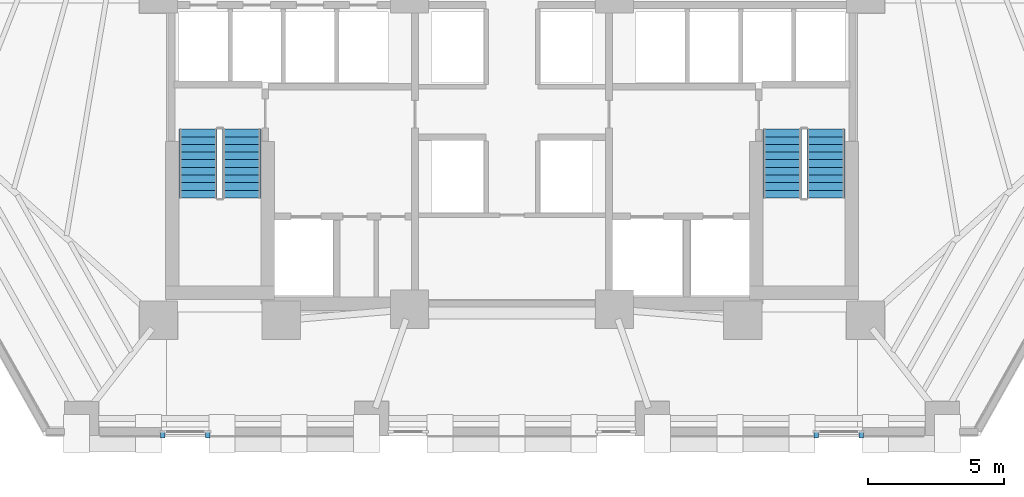
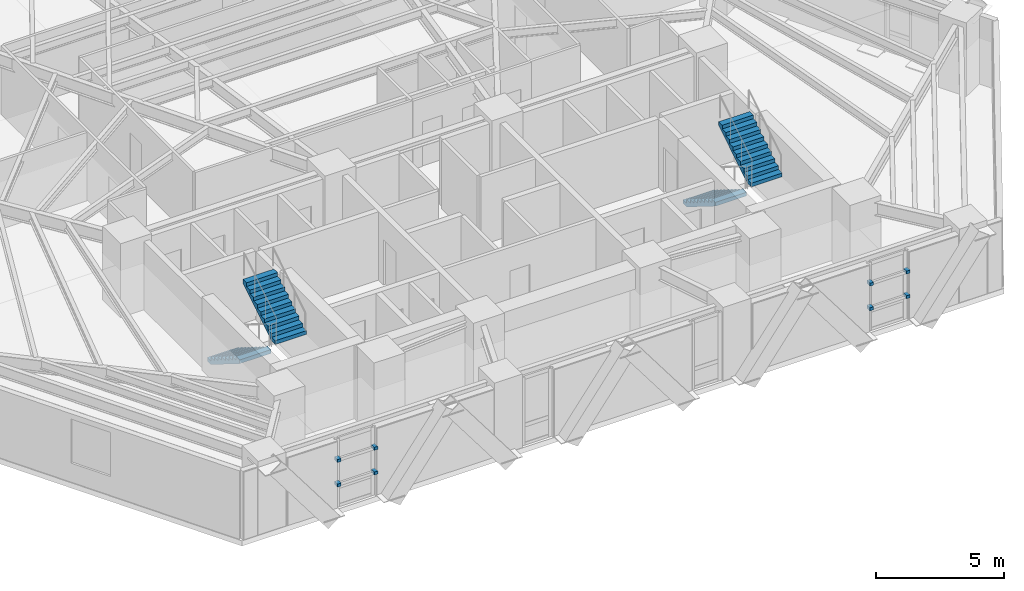
# One storey, part 9 of 13: 8 discrete accessories, 4 stair flights, 2 elements without a shape of their own.
"""IFC4 building model written with IfcOpenShell, lengths in metres."""

from ifc_helpers import new_model, si_unit, direction, frame, origin, origin_2d, place, context, subcontext, project, spatial, polyline, rectangle, outline, extrude, material, layer, layer_set, type_object, element, aggregate, save


model = new_model("IFC4")

# Units and contexts
model_context = context("Model", 3, precision=1e-05, world=origin(), true_north=direction((0.0, 1.0)))
body_context = subcontext(model_context, "Body", "Model", "MODEL_VIEW")
ifc_project = project(units=[si_unit("LENGTHUNIT", "METRE"), si_unit("AREAUNIT", "SQUARE_METRE"), si_unit("VOLUMEUNIT", "CUBIC_METRE"), si_unit("PLANEANGLEUNIT", "RADIAN"), si_unit("MASSUNIT", "GRAM", prefix="KILO")], contexts=[model_context])

# Site, building, storey
site_placement = place(None, origin())
site = spatial("IfcSite", under=ifc_project, at=site_placement, CompositionType="ELEMENT")
building_placement = place(site_placement, origin())
building = spatial("IfcBuilding", under=site, at=building_placement, Name="Quenlor Broadcast Tower", CompositionType="ELEMENT")
storey_placement = place(building_placement, frame((0.0, 0.0, 55.60009765625)))
storey = spatial("IfcBuildingStorey", under=building, at=storey_placement, Name="L14", CompositionType="ELEMENT", Elevation=55.60009765625)

# Stair, stair flights
ifc_material_1 = material(Name="Precast concrete C40/50", Category="concrete")
stair_type = type_object("IfcStairType", Name="Precast Concrete C40/50 Dogleg Stair H350", PredefinedType="HALF_TURN_STAIR", material=ifc_material_1)
stair_1_placement = place(storey_placement, origin())
stair_1 = element("IfcStair", 1, at=stair_1_placement, inside=storey, type_object=stair_type, Name="L14 West Core Fire-Isolated Exit Stair ST-1", PredefinedType="HALF_TURN_STAIR")
ifc_material_2 = material(Name="Precast concrete C40/50", Category="concrete")
ifc_layer = layer(ifc_material_2, 0.159912109375)
ifc_layer_set = layer_set([ifc_layer], Name="Precast Concrete C40/50 Stair Flight H350")
stair_flight_type = type_object("IfcStairFlightType", Name="Precast Concrete C40/50 Stair Flight H350", PredefinedType="STRAIGHT", material=ifc_layer_set)
stair_flight_1_placement = place(storey_placement, frame((-11.5, -9.75, 0.0), z_axis=(0.0, 0.0, 1.0), x_axis=(0.0, -1.0, 0.0)))
stair_flight_1 = element("IfcStairFlight", 2, at=stair_flight_1_placement, type_object=stair_flight_type, Name="ST-1 flight 1", NumberOfRisers=10, NumberOfTreads=9, PredefinedType="STRAIGHT", RiserHeight=0.175, TreadLength=0.28, context=body_context, shape_type="SweptSolid", body=[
    extrude(outline(polyline([(0.0, 0.0), (0.0, 0.175048828125), (0.280029296875, 0.175048828125), (0.280029296875, 0.35009765625), (0.56005859375, 0.35009765625), (0.56005859375, 0.52490234375), (0.840087890625, 0.52490234375), (0.840087890625, 0.699951171875), (1.1201171875, 0.699951171875), (1.1201171875, 0.875), (1.39990234375, 0.875), (1.39990234375, 1.050048828125), (1.679931640625, 1.050048828125), (1.679931640625, 1.22509765625), (1.9599609375, 1.22509765625), (1.9599609375, 1.39990234375), (2.239990234375, 1.39990234375), (2.239990234375, 1.574951171875), (2.52001953125, 1.574951171875), (2.52001953125, 1.75), (2.52001953125, 1.398193359375), (0.28271484375, 0.0), (0.0, 0.0)])), frame((0.0, 0.699951171875, 0.0), z_axis=(0.0, -1.0, 0.0), x_axis=(1.0, 0.0, 0.0)), (0.0, 0.0, 1.0), 1.39990234375),
])
stair_flight_2_placement = place(storey_placement, frame((-9.89990234375, -12.27001953125, 1.75), z_axis=(0.0, 0.0, 1.0), x_axis=(0.0, 1.0, 0.0)))
stair_flight_2 = element("IfcStairFlight", 3, at=stair_flight_2_placement, type_object=stair_flight_type, Name="ST-1 flight 2", NumberOfRisers=10, NumberOfTreads=9, PredefinedType="STRAIGHT", RiserHeight=0.175, TreadLength=0.28, context=body_context, shape_type="SweptSolid", body=[
    extrude(outline(polyline([(0.0, 0.0), (0.0, 0.175048828125), (0.280029296875, 0.175048828125), (0.280029296875, 0.35009765625), (0.56005859375, 0.35009765625), (0.56005859375, 0.52490234375), (0.840087890625, 0.52490234375), (0.840087890625, 0.699951171875), (1.1201171875, 0.699951171875), (1.1201171875, 0.875), (1.39990234375, 0.875), (1.39990234375, 1.050048828125), (1.679931640625, 1.050048828125), (1.679931640625, 1.22509765625), (1.9599609375, 1.22509765625), (1.9599609375, 1.39990234375), (2.239990234375, 1.39990234375), (2.239990234375, 1.574951171875), (2.52001953125, 1.574951171875), (2.52001953125, 1.75), (2.52001953125, 1.398193359375), (0.28271484375, 0.0), (0.0, 0.0)])), frame((0.0, 0.699951171875, 0.0), z_axis=(0.0, -1.0, 0.0), x_axis=(1.0, 0.0, 0.0)), (0.0, 0.0, 1.0), 1.39990234375),
])
aggregate(stair_1, [stair_flight_1, stair_flight_2])

stair_2_placement = place(storey_placement, origin())
stair_2 = element("IfcStair", 4, at=stair_2_placement, inside=storey, type_object=stair_type, Name="L14 East Core Fire-Isolated Exit Stair ST-2", PredefinedType="HALF_TURN_STAIR")
stair_flight_3_placement = place(storey_placement, frame((9.89990234375, -9.75, 0.0), z_axis=(0.0, 0.0, 1.0), x_axis=(0.0, -1.0, 0.0)))
stair_flight_3 = element("IfcStairFlight", 5, at=stair_flight_3_placement, type_object=stair_flight_type, Name="ST-2 flight 1", NumberOfRisers=10, NumberOfTreads=9, PredefinedType="STRAIGHT", RiserHeight=0.175, TreadLength=0.28, context=body_context, shape_type="SweptSolid", body=[
    extrude(outline(polyline([(0.0, 0.0), (0.0, 0.175048828125), (0.280029296875, 0.175048828125), (0.280029296875, 0.35009765625), (0.56005859375, 0.35009765625), (0.56005859375, 0.52490234375), (0.840087890625, 0.52490234375), (0.840087890625, 0.699951171875), (1.1201171875, 0.699951171875), (1.1201171875, 0.875), (1.39990234375, 0.875), (1.39990234375, 1.050048828125), (1.679931640625, 1.050048828125), (1.679931640625, 1.22509765625), (1.9599609375, 1.22509765625), (1.9599609375, 1.39990234375), (2.239990234375, 1.39990234375), (2.239990234375, 1.574951171875), (2.52001953125, 1.574951171875), (2.52001953125, 1.75), (2.52001953125, 1.398193359375), (0.28271484375, 0.0), (0.0, 0.0)])), frame((0.0, 0.699951171875, 0.0), z_axis=(0.0, -1.0, 0.0), x_axis=(1.0, 0.0, 0.0)), (0.0, 0.0, 1.0), 1.39990234375),
])
stair_flight_4_placement = place(storey_placement, frame((11.5, -12.27001953125, 1.75), z_axis=(0.0, 0.0, 1.0), x_axis=(0.0, 1.0, 0.0)))
stair_flight_4 = element("IfcStairFlight", 6, at=stair_flight_4_placement, type_object=stair_flight_type, Name="ST-2 flight 2", NumberOfRisers=10, NumberOfTreads=9, PredefinedType="STRAIGHT", RiserHeight=0.175, TreadLength=0.28, context=body_context, shape_type="SweptSolid", body=[
    extrude(outline(polyline([(0.0, 0.0), (0.0, 0.175048828125), (0.280029296875, 0.175048828125), (0.280029296875, 0.35009765625), (0.56005859375, 0.35009765625), (0.56005859375, 0.52490234375), (0.840087890625, 0.52490234375), (0.840087890625, 0.699951171875), (1.1201171875, 0.699951171875), (1.1201171875, 0.875), (1.39990234375, 0.875), (1.39990234375, 1.050048828125), (1.679931640625, 1.050048828125), (1.679931640625, 1.22509765625), (1.9599609375, 1.22509765625), (1.9599609375, 1.39990234375), (2.239990234375, 1.39990234375), (2.239990234375, 1.574951171875), (2.52001953125, 1.574951171875), (2.52001953125, 1.75), (2.52001953125, 1.398193359375), (0.28271484375, 0.0), (0.0, 0.0)])), frame((0.0, 0.699951171875, 0.0), z_axis=(0.0, -1.0, 0.0), x_axis=(1.0, 0.0, 0.0)), (0.0, 0.0, 1.0), 1.39990234375),
])
aggregate(stair_2, [stair_flight_3, stair_flight_4])

# Discrete accessories
ifc_material_3 = material(Name="Aluminium 6063-T6", Category="aluminium")
discrete_accessory_type = type_object("IfcDiscreteAccessoryType", Name="Stainless Mullion Baguette Support Bracket", PredefinedType="BRACKET", material=ifc_material_3)
for number, where, z_axis, x_axis, name in (
    (7, (12.794921875, -20.949951171875, 1.10009765625), (0.0, 0.0, 1.0), (-1.0, 0.0, 0.0), "L14 Baguette Mullion Bracket 1.1"),
    (8, (11.146484375, -20.949951171875, 1.10009765625), (0.0, 0.0, 1.0), (-1.0, 0.0, 0.0), "L14 Baguette Mullion Bracket 1.2"),
    (9, (12.794921875, -20.949951171875, 2.27001953125), (0.0, 0.0, 1.0), (-1.0, 0.0, 0.0), "L14 Baguette Mullion Bracket 2.1"),
    (10, (11.146484375, -20.949951171875, 2.27001953125), (0.0, 0.0, 1.0), (-1.0, 0.0, 0.0), "L14 Baguette Mullion Bracket 2.2"),
    (11, (-11.146484375, -20.949951171875, 1.10009765625), (0.0, 0.0, 1.0), (-1.0, 0.0, 0.0), "L14 Baguette Mullion Bracket 1.1"),
    (12, (-12.794921875, -20.949951171875, 1.10009765625), (0.0, 0.0, 1.0), (-1.0, 0.0, 0.0), "L14 Baguette Mullion Bracket 1.2"),
    (13, (-11.146484375, -20.949951171875, 2.27001953125), (0.0, 0.0, 1.0), (-1.0, 0.0, 0.0), "L14 Baguette Mullion Bracket 2.1"),
    (14, (-12.794921875, -20.949951171875, 2.27001953125), (0.0, 0.0, 1.0), (-1.0, 0.0, 0.0), "L14 Baguette Mullion Bracket 2.2"),
):
    element("IfcDiscreteAccessory", number, at=place(storey_placement, frame(where, z_axis=z_axis, x_axis=x_axis)), inside=storey, type_object=discrete_accessory_type, Name=name, PredefinedType="BRACKET", context=body_context, shape_type="SweptSolid", body=[
        extrude(rectangle(XDim=0.159912109375, YDim=0.239990234375, at=origin_2d()), origin(), (0.0, 0.0, 1.0), 0.139892578125),
    ])

save(model, "model.ifc")
